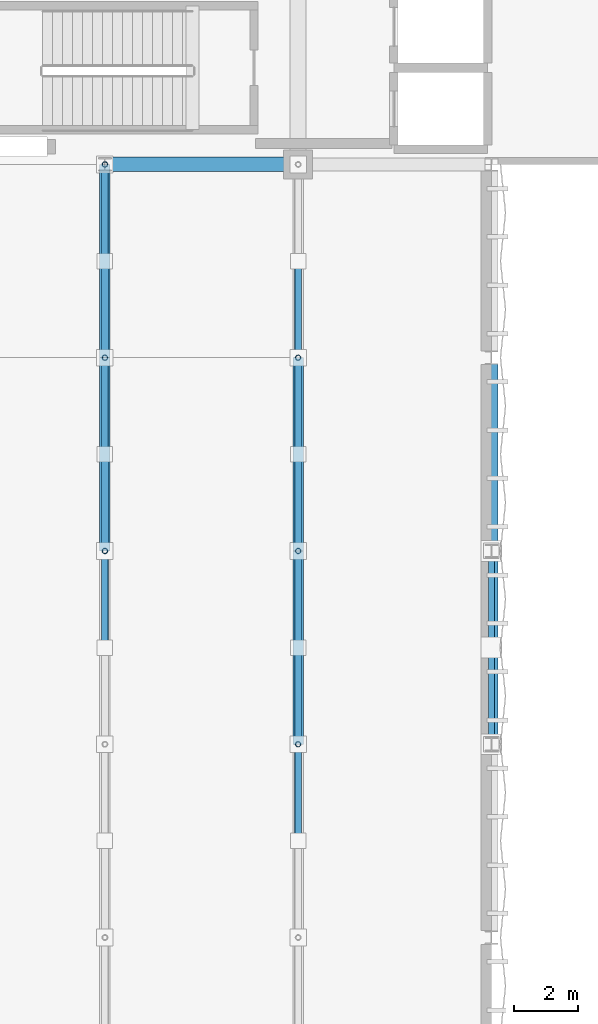
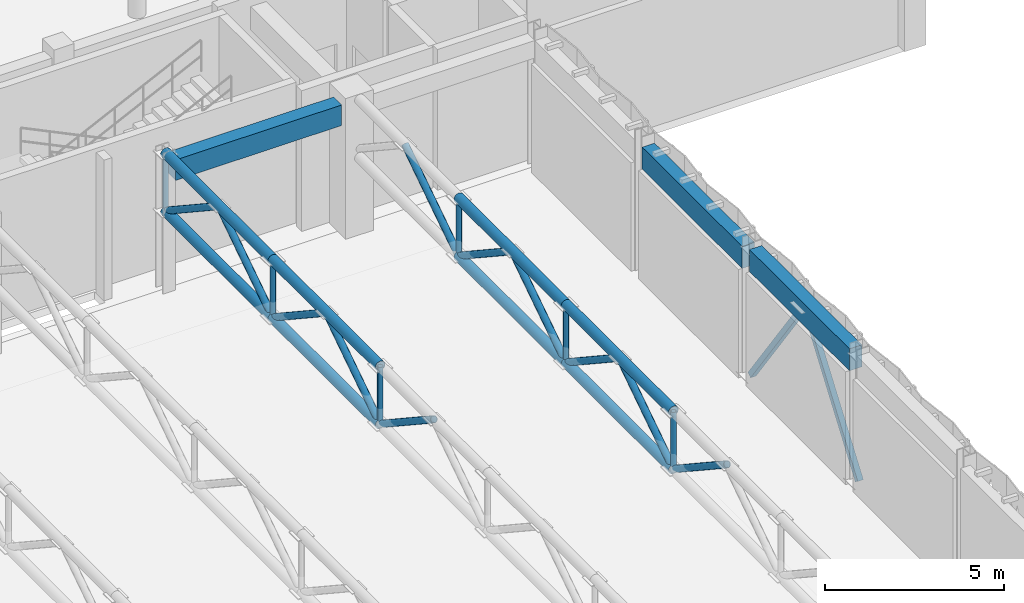
# One storey, part 65 of 123: 27 members, 3 beams.
"""IFC4 building model written with IfcOpenShell, lengths in metres."""

from ifc_helpers import new_model, si_unit, direction, frame, origin, origin_2d, place, context, subcontext, project, spatial, rectangle, hollow_rectangle, hollow_circle, extrude, material, material_profile, profile_set, type_object, element, save


model = new_model("IFC4")

# Units and contexts
model_context = context("Model", 3, precision=1e-05, world=origin(), true_north=direction((0.0, 1.0)))
body_context = subcontext(model_context, "Body", "Model", "MODEL_VIEW")
ifc_project = project(units=[si_unit("LENGTHUNIT", "METRE"), si_unit("AREAUNIT", "SQUARE_METRE"), si_unit("VOLUMEUNIT", "CUBIC_METRE"), si_unit("PLANEANGLEUNIT", "RADIAN"), si_unit("MASSUNIT", "GRAM", prefix="KILO"), si_unit("THERMODYNAMICTEMPERATUREUNIT", "KELVIN"), si_unit("POWERUNIT", "WATT")], contexts=[model_context])

# Site, building, storey
site_placement = place(None, origin())
site = spatial("IfcSite", under=ifc_project, at=site_placement, CompositionType="ELEMENT")
building_placement = place(site_placement, origin())
building = spatial("IfcBuilding", under=site, at=building_placement, Name="Phaisarnlok Congress Hotel", CompositionType="ELEMENT")
storey_placement = place(building_placement, frame((0.0, 0.0, 15.0)))
storey = spatial("IfcBuildingStorey", under=building, at=storey_placement, Name="L03", CompositionType="ELEMENT", Elevation=15.0)

# Beam
ifc_material_1 = material(Name="Concrete C40/50", Category="concrete")
ifc_material_profile_1 = material_profile(ifc_material_1, rectangle(XDim=0.449951171875, YDim=0.699951171875, at=origin_2d()), Name="RC 450x700")
ifc_profile_set_1 = profile_set([ifc_material_profile_1], Name="Concrete C40/50")
beam_type_1 = type_object("IfcBeamType", Name="BM-RC-450x700", PredefinedType="BEAM", material=ifc_profile_set_1)
beam_placement = place(storey_placement, frame((132.197998046875, 36.0, 4.10009765625), z_axis=(1.0, 0.0, 0.0), x_axis=(0.0, 1.0, 0.0)))
element("IfcBeam", 1, at=beam_placement, inside=storey, type_object=beam_type_1, Name="Beam B-03", PredefinedType="BEAM", context=body_context, shape_type="SweptSolid", body=[
    extrude(rectangle(XDim=0.449951171875, YDim=0.699951171875, at=origin_2d()), origin(), (0.0, 0.0, 1.0), 5.35693359375),
])

# Members
ifc_material_2 = material(Name="Steel S355", Category="steel")
ifc_material_profile_2 = material_profile(ifc_material_2, hollow_circle(Radius=0.084228515625, WallThickness=0.010009765625, at=origin_2d()), Name="CHS 168.3x10")
ifc_profile_set_2 = profile_set([ifc_material_profile_2], Name="Steel S355")
member_type_1 = type_object("IfcMemberType", Name="MEM-BRC-CHS168", PredefinedType="BRACE", material=ifc_profile_set_2)
for number, where, z_axis, x_axis, name in (
    (2, (132.0, 24.0, 2.64990234375), (0.0, 0.0, 1.0), (1.0, 0.0, 0.0), "Ballroom truss vertical web TB-01"),
    (3, (132.0, 30.0, 2.64990234375), (0.0, 0.0, 1.0), (1.0, 0.0, 0.0), "Ballroom truss vertical web TB-01"),
    (4, (132.0, 36.0, 2.64990234375), (0.0, 0.0, 1.0), (1.0, 0.0, 0.0), "Ballroom truss vertical web TB-01"),
    (5, (138.0, 18.0, 2.64990234375), (0.0, 0.0, 1.0), (1.0, 0.0, 0.0), "Ballroom truss vertical web TB-01"),
    (6, (138.0, 24.0, 2.64990234375), (0.0, 0.0, 1.0), (1.0, 0.0, 0.0), "Ballroom truss vertical web TB-01"),
    (7, (138.0, 30.0, 2.64990234375), (0.0, 0.0, 1.0), (1.0, 0.0, 0.0), "Ballroom truss vertical web TB-01"),
):
    element("IfcMember", number, at=place(storey_placement, frame(where, z_axis=z_axis, x_axis=x_axis)), inside=storey, type_object=member_type_1, Name=name, PredefinedType="BRACE", context=body_context, shape_type="SweptSolid", body=[
        extrude(hollow_circle(Radius=0.084228515625, WallThickness=0.010009765625, at=origin_2d()), origin(), (0.0, 0.0, 1.0), 1.97998046875),
    ])
ifc_material_profile_3 = material_profile(ifc_material_2, hollow_circle(Radius=0.109619140625, WallThickness=0.012451171875, at=origin_2d()), Name="CHS 219.1x12.5")
ifc_profile_set_3 = profile_set([ifc_material_profile_3], Name="Steel S355")
member_type_2 = type_object("IfcMemberType", Name="MEM-BRC-CHS219", PredefinedType="BRACE", material=ifc_profile_set_3)
for number, where, z_axis, x_axis, name in (
    (8, (132.0, 24.0, 2.64990234375), (0.0, -0.834611904619, 0.550838423377), (1.0, 0.0, 0.0), "Ballroom truss diagonal web TB-02"),
    (9, (132.0, 24.0, 2.64990234375), (0.0, 0.834611904619, 0.550838423377), (-1.0, 0.0, 0.0), "Ballroom truss diagonal web TB-02"),
    (10, (132.0, 30.0, 2.64990234375), (0.0, -0.834611904619, 0.550838423377), (1.0, 0.0, 0.0), "Ballroom truss diagonal web TB-02"),
    (11, (132.0, 30.0, 2.64990234375), (0.0, 0.834611904619, 0.550838423377), (-1.0, 0.0, 0.0), "Ballroom truss diagonal web TB-02"),
    (12, (132.0, 36.0, 2.64990234375), (0.0, -0.834611904619, 0.550838423377), (1.0, 0.0, 0.0), "Ballroom truss diagonal web TB-02"),
    (13, (138.0, 18.0, 2.64990234375), (0.0, -0.834611904619, 0.550838423377), (1.0, 0.0, 0.0), "Ballroom truss diagonal web TB-02"),
    (14, (138.0, 18.0, 2.64990234375), (0.0, 0.834611904619, 0.550838423377), (-1.0, 0.0, 0.0), "Ballroom truss diagonal web TB-02"),
    (15, (138.0, 24.0, 2.64990234375), (0.0, -0.834611904619, 0.550838423377), (1.0, 0.0, 0.0), "Ballroom truss diagonal web TB-02"),
    (16, (138.0, 24.0, 2.64990234375), (0.0, 0.834611904619, 0.550838423377), (-1.0, 0.0, 0.0), "Ballroom truss diagonal web TB-02"),
    (17, (138.0, 30.0, 2.64990234375), (0.0, -0.834611904619, 0.550838423377), (1.0, 0.0, 0.0), "Ballroom truss diagonal web TB-02"),
    (18, (138.0, 30.0, 2.64990234375), (0.0, 0.834611904619, 0.550838423377), (-1.0, 0.0, 0.0), "Ballroom truss diagonal web TB-02"),
):
    element("IfcMember", number, at=place(storey_placement, frame(where, z_axis=z_axis, x_axis=x_axis)), inside=storey, type_object=member_type_2, Name=name, PredefinedType="BRACE", context=body_context, shape_type="SweptSolid", body=[
        extrude(hollow_circle(Radius=0.109619140625, WallThickness=0.012451171875, at=origin_2d()), origin(), (0.0, 0.0, 1.0), 3.594482421875),
    ])
ifc_material_profile_4 = material_profile(ifc_material_2, hollow_rectangle(XDim=0.179931640625, YDim=0.179931640625, WallThickness=0.010009765625, at=origin_2d()), Name="SHS 180x180x10")
ifc_profile_set_4 = profile_set([ifc_material_profile_4], Name="Steel S355")
member_type_3 = type_object("IfcMemberType", Name="MEM-BRC-SHS180", PredefinedType="BRACE", material=ifc_profile_set_4)
for number, where, z_axis, x_axis, name in (
    (19, (144.0, 18.0, 0.14990234375), (0.0, 0.583059052244, 0.812429776409), (-1.0, 0.0, 0.0), "Lateral braced frame diagonal"),
    (20, (144.0, 24.0, 0.14990234375), (0.0, -0.583059052244, 0.812429776409), (1.0, 0.0, 0.0), "Lateral braced frame diagonal"),
):
    element("IfcMember", number, at=place(storey_placement, frame(where, z_axis=z_axis, x_axis=x_axis)), inside=storey, type_object=member_type_3, Name=name, PredefinedType="BRACE", context=body_context, shape_type="SweptSolid", body=[
        extrude(hollow_rectangle(XDim=0.179931640625, YDim=0.179931640625, WallThickness=0.010009765625, at=origin_2d()), origin(), (0.0, 0.0, 1.0), 5.145263671875),
    ])
ifc_material_profile_5 = material_profile(ifc_material_2, hollow_circle(Radius=0.161865234375, WallThickness=0.01611328125, at=origin_2d()), Name="CHS 323.9x16")
ifc_profile_set_5 = profile_set([ifc_material_profile_5], Name="Steel S355")
member_type_4 = type_object("IfcMemberType", Name="MEM-CHD-CHS324", PredefinedType="CHORD", material=ifc_profile_set_5)
for number, where, z_axis, x_axis, name in (
    (21, (132.0, 24.0, 4.6298828125), (0.0, 1.0, 0.0), (-1.0, 0.0, 0.0), "Ballroom truss top chord TC-02"),
    (22, (132.0, 24.0, 2.64990234375), (0.0, 1.0, 0.0), (-1.0, 0.0, 0.0), "Ballroom truss bottom chord TC-02"),
    (23, (132.0, 30.0, 4.6298828125), (0.0, 1.0, 0.0), (-1.0, 0.0, 0.0), "Ballroom truss top chord TC-02"),
    (24, (132.0, 30.0, 2.64990234375), (0.0, 1.0, 0.0), (-1.0, 0.0, 0.0), "Ballroom truss bottom chord TC-02"),
    (25, (138.0, 18.0, 4.6298828125), (0.0, 1.0, 0.0), (-1.0, 0.0, 0.0), "Ballroom truss top chord TC-02"),
    (26, (138.0, 18.0, 2.64990234375), (0.0, 1.0, 0.0), (-1.0, 0.0, 0.0), "Ballroom truss bottom chord TC-02"),
    (27, (138.0, 24.0, 4.6298828125), (0.0, 1.0, 0.0), (-1.0, 0.0, 0.0), "Ballroom truss top chord TC-02"),
    (28, (138.0, 24.0, 2.64990234375), (0.0, 1.0, 0.0), (-1.0, 0.0, 0.0), "Ballroom truss bottom chord TC-02"),
):
    element("IfcMember", number, at=place(storey_placement, frame(where, z_axis=z_axis, x_axis=x_axis)), inside=storey, type_object=member_type_4, Name=name, PredefinedType="CHORD", context=body_context, shape_type="SweptSolid", body=[
        extrude(hollow_circle(Radius=0.161865234375, WallThickness=0.01611328125, at=origin_2d()), origin(), (0.0, 0.0, 1.0), 6.0),
    ])

# Beams
ifc_material_profile_6 = material_profile(ifc_material_1, rectangle(XDim=0.39990234375, YDim=0.75, at=origin_2d()), Name="RC 400x750")
ifc_profile_set_6 = profile_set([ifc_material_profile_6], Name="Concrete C40/50")
beam_type_2 = type_object("IfcBeamType", Name="SP-RC-400x750", PredefinedType="SPANDREL", material=ifc_profile_set_6)
for number, where, z_axis, x_axis, name in (
    (29, (144.0, 18.202880859375, 4.219970703125), (0.0, 1.0, 0.0), (-1.0, 0.0, 0.0), "Beam SP-02"),
    (30, (144.0, 24.202880859375, 4.074951171875), (0.0, 1.0, 0.0), (-1.0, 0.0, 0.0), "Beam SP-02"),
):
    element("IfcBeam", number, at=place(storey_placement, frame(where, z_axis=z_axis, x_axis=x_axis)), inside=storey, type_object=beam_type_2, Name=name, PredefinedType="SPANDREL", context=body_context, shape_type="SweptSolid", body=[
        extrude(rectangle(XDim=0.39990234375, YDim=0.75, at=origin_2d()), origin(), (0.0, 0.0, 1.0), 5.59423828125),
    ])

save(model, "model.ifc")
